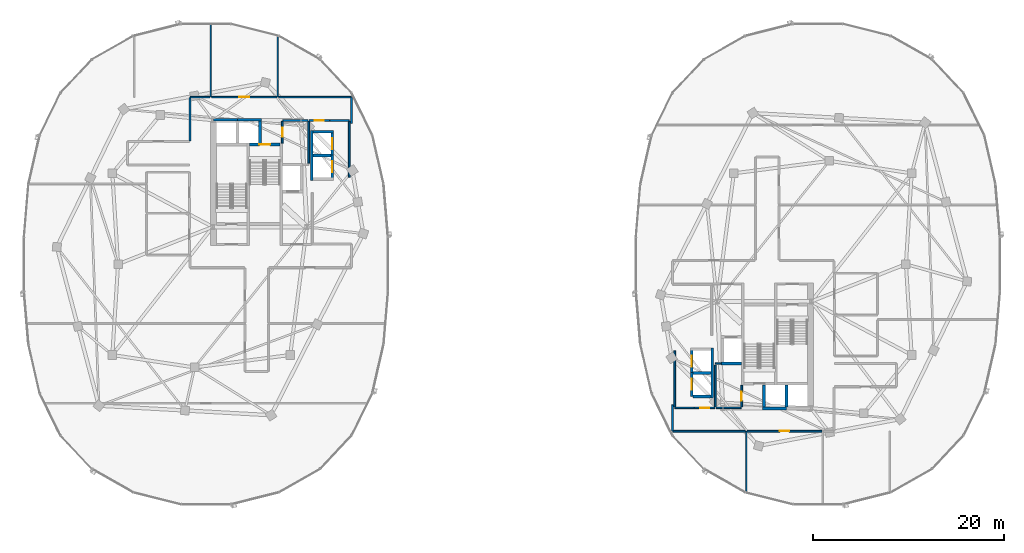
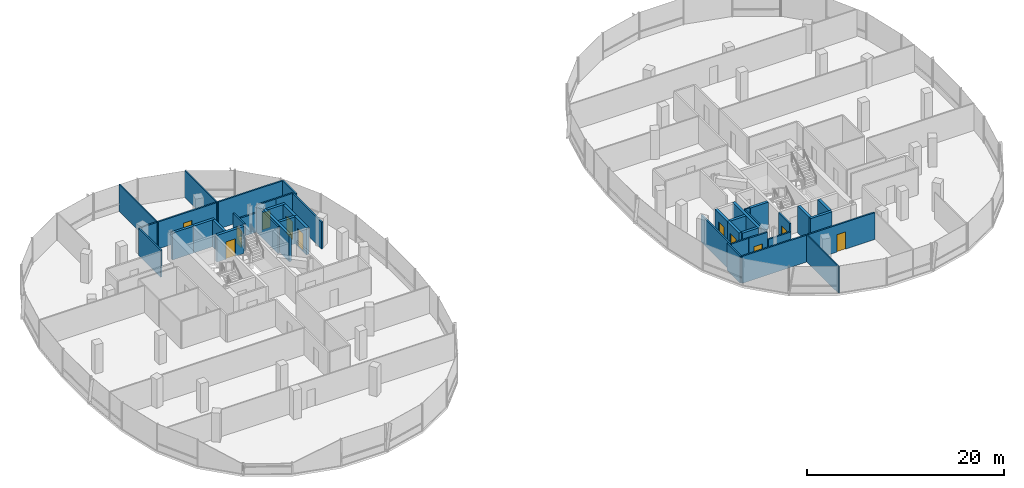
# One storey, part 16 of 25: 42 walls, 11 doors, 11 openings.
"""IFC4 building model written with IfcOpenShell, lengths in metres."""

from ifc_helpers import new_model, si_unit, direction, frame, frame_2d, origin, place, context, subcontext, project, spatial, rectangle, extrude, material, layer, layer_set, type_object, element, fill, save


model = new_model("IFC4")

# Units and contexts
model_context = context("Model", 3, precision=1e-05, world=origin(), true_north=direction((0.0, 1.0)))
body_context = subcontext(model_context, "Body", "Model", "MODEL_VIEW")
ifc_project = project(units=[si_unit("LENGTHUNIT", "METRE"), si_unit("AREAUNIT", "SQUARE_METRE"), si_unit("VOLUMEUNIT", "CUBIC_METRE"), si_unit("PLANEANGLEUNIT", "RADIAN"), si_unit("MASSUNIT", "GRAM", prefix="KILO"), si_unit("THERMODYNAMICTEMPERATUREUNIT", "KELVIN"), si_unit("POWERUNIT", "WATT")], contexts=[model_context])

# Site, building, storey
site_placement = place(None, origin())
site = spatial("IfcSite", under=ifc_project, at=site_placement, CompositionType="ELEMENT")
building_placement = place(site_placement, origin())
building = spatial("IfcBuilding", under=site, at=building_placement, Name="Cundina Bronze Exchange", CompositionType="ELEMENT")
storey_placement = place(building_placement, frame((0.0, 0.0, 220.60009765625)))
storey = spatial("IfcBuildingStorey", under=building, at=storey_placement, Name="L58", CompositionType="ELEMENT", Elevation=220.60009765625)

# Wall
ifc_material_1 = material(Name="Gypsum Fireboard Partition EI120")
ifc_layer_1 = layer(ifc_material_1, 0.179931640625, Name="Gypsum Fireboard Partition EI120")
ifc_layer_set_1 = layer_set([ifc_layer_1], Name="Gypsum Fireboard Partition EI120")
wall_type_1 = type_object("IfcWallType", Name="WL-COR-180", PredefinedType="PARTITIONING", material=ifc_layer_set_1)
wall_1_placement = place(storey_placement, frame((-17.02001953125, 9.070068359375, 0.0), z_axis=(0.0, 0.0, 1.0), x_axis=(0.0, 1.0, 0.0)))
element("IfcWall", 1, at=wall_1_placement, inside=storey, type_object=wall_type_1, Name="L58 Interior Partition 001", PredefinedType="PARTITIONING", context=body_context, shape_type="SweptSolid", body=[
    extrude(rectangle(XDim=5.85986328125, YDim=0.179931640625, at=frame_2d((2.929931640625, 0.0))), origin(), (0.0, 0.0, 1.0), 3.33984375),
])

# Wall, opening, door
wall_2_placement = place(storey_placement, frame((-21.22998046875, 15.030029296875, 0.0), z_axis=(0.0, 0.0, 1.0), x_axis=(1.0, 0.0, 0.0)))
wall_2 = element("IfcWall", 2, at=wall_2_placement, inside=storey, type_object=wall_type_1, Name="L58 Interior Partition 002", PredefinedType="PARTITIONING", context=body_context, shape_type="SweptSolid", body=[
    extrude(rectangle(XDim=2.159912109375, YDim=0.179931640625, at=frame_2d((1.080078125, 0.0))), origin(), (0.0, 0.0, 1.0), 3.33984375),
])
opening_1_placement = place(wall_2_placement, frame((0.60498046875, 0.0, 0.0)))
opening_1 = element("IfcOpeningElement", 3, at=opening_1_placement, cuts=wall_2, Name="Opening DW-01", PredefinedType="OPENING", context=body_context, shape_type="SweptSolid", body=[
    extrude(rectangle(XDim=0.949951171875, YDim=2.10009765625, at=frame_2d((0.47509765625, 1.050048828125))), frame((0.0, 0.099853515625, 0.0), z_axis=(0.0, -1.0, 0.0), x_axis=(1.0, 0.0, 0.0)), (0.0, 0.0, 1.0), 0.199951171875),
])
ifc_material_2 = material(Name="Solid Andean Oak Timber Grade A", Category="wood")
door_type_1 = type_object("IfcDoorType", Name="DR-WC-950", OperationType="NOTDEFINED", PredefinedType="DOOR", material=ifc_material_2)
door_1_placement = place(opening_1_placement, origin())
door_1 = element("IfcDoor", 4, at=door_1_placement, inside=storey, type_object=door_type_1, Name="L58 Interior Door 002", OperationType="SINGLE_SWING_LEFT", OverallHeight=2.10009765625, OverallWidth=0.949951171875, PredefinedType="DOOR", context=body_context, shape_type="SweptSolid", body=[
    extrude(rectangle(XDim=0.949951171875, YDim=2.10009765625, at=frame_2d((0.47509765625, 1.050048828125))), frame((0.0, 0.02490234375, 0.0), z_axis=(0.0, -1.0, 0.0), x_axis=(1.0, 0.0, 0.0)), (0.0, 0.0, 1.0), 0.050048828125),
])
fill(opening_1, door_1)

# Walls
wall_3_placement = place(storey_placement, frame((-19.030029296875, 15.030029296875, 0.0), z_axis=(0.0, 0.0, 1.0), x_axis=(1.0, 0.0, 0.0)))
element("IfcWall", 5, at=wall_3_placement, inside=storey, type_object=wall_type_1, Name="L58 Interior Partition 003", PredefinedType="PARTITIONING", context=body_context, shape_type="SweptSolid", body=[
    extrude(rectangle(XDim=1.989990234375, YDim=0.179931640625, at=frame_2d((0.9951171875, 0.0))), origin(), (0.0, 0.0, 1.0), 3.33984375),
])
wall_4_placement = place(storey_placement, frame((-21.25, 10.570068359375, 0.0), z_axis=(0.0, 0.0, 1.0), x_axis=(0.0, 1.0, 0.0)))
element("IfcWall", 6, at=wall_4_placement, inside=storey, type_object=wall_type_1, Name="L58 Interior Partition 005", PredefinedType="PARTITIONING", context=body_context, shape_type="SweptSolid", body=[
    extrude(rectangle(XDim=4.35986328125, YDim=0.179931640625, at=frame_2d((2.179931640625, 0.0))), origin(), (0.0, 0.0, 1.0), 3.33984375),
])
wall_5_placement = place(storey_placement, frame((-23.9599609375, 15.030029296875, 0.0), z_axis=(0.0, 0.0, 1.0), x_axis=(1.0, 0.0, 0.0)))
element("IfcWall", 7, at=wall_5_placement, inside=storey, type_object=wall_type_1, Name="L58 Interior Partition 006", PredefinedType="PARTITIONING", context=body_context, shape_type="SweptSolid", body=[
    extrude(rectangle(XDim=2.60986328125, YDim=0.179931640625, at=frame_2d((1.304931640625, 0.0))), origin(), (0.0, 0.0, 1.0), 2.412841796875),
])

# Wall, opening, door
wall_6_placement = place(storey_placement, frame((-24.02001953125, 12.669921875, 0.0), z_axis=(0.0, 0.0, 1.0), x_axis=(0.0, 1.0, 0.0)))
wall_6 = element("IfcWall", 8, at=wall_6_placement, inside=storey, type_object=wall_type_1, Name="L58 Interior Partition 007", PredefinedType="PARTITIONING", context=body_context, shape_type="SweptSolid", body=[
    extrude(rectangle(XDim=2.260009765625, YDim=0.179931640625, at=frame_2d((1.1298828125, 0.0))), origin(), (0.0, 0.0, 1.0), 3.33984375),
])
opening_2_placement = place(wall_6_placement, frame((0.655029296875, 0.0, 0.0)))
opening_2 = element("IfcOpeningElement", 9, at=opening_2_placement, cuts=wall_6, Name="Opening DW-01", PredefinedType="OPENING", context=body_context, shape_type="SweptSolid", body=[
    extrude(rectangle(XDim=0.949951171875, YDim=2.10009765625, at=frame_2d((0.47509765625, 1.050048828125))), frame((0.0, 0.099853515625, 0.0), z_axis=(0.0, -1.0, 0.0), x_axis=(1.0, 0.0, 0.0)), (0.0, 0.0, 1.0), 0.199951171875),
])
door_2_placement = place(opening_2_placement, origin())
door_2 = element("IfcDoor", 10, at=door_2_placement, inside=storey, type_object=door_type_1, Name="L58 Interior Door 007", OperationType="SINGLE_SWING_LEFT", OverallHeight=2.10009765625, OverallWidth=0.949951171875, PredefinedType="DOOR", context=body_context, shape_type="SweptSolid", body=[
    extrude(rectangle(XDim=0.949951171875, YDim=2.10009765625, at=frame_2d((0.47509765625, 1.050048828125))), frame((0.0, 0.02490234375, 0.0), z_axis=(0.0, -1.0, 0.0), x_axis=(1.0, 0.0, 0.0)), (0.0, 0.0, 1.0), 0.050048828125),
])
fill(opening_2, door_2)

# Walls
wall_7_placement = place(storey_placement, frame((-16.821533203125, 17.469970703125, 0.0), z_axis=(0.0, 0.0, 1.0), x_axis=(-1.0, 0.0, 0.0)))
element("IfcWall", 11, at=wall_7_placement, inside=storey, type_object=wall_type_1, Name="L58 Interior Partition 029", PredefinedType="PARTITIONING", context=body_context, shape_type="SweptSolid", body=[
    extrude(rectangle(XDim=7.58837890625, YDim=0.179931640625, at=frame_2d((3.794189453125, 0.0))), origin(), (0.0, 0.0, 1.0), 3.33984375),
])
wall_8_placement = place(storey_placement, frame((-16.780029296875, 14.721435546875, 0.0), z_axis=(0.0, 0.0, 1.0), x_axis=(0.0, 1.0, 0.0)))
element("IfcWall", 12, at=wall_8_placement, inside=storey, type_object=wall_type_1, Name="L58 Interior Partition 032", PredefinedType="PARTITIONING", context=body_context, shape_type="SweptSolid", body=[
    extrude(rectangle(XDim=2.70703125, YDim=0.179931640625, at=frame_2d((1.353515625, 0.0))), origin(), (0.0, 0.0, 1.0), 3.33984375),
])
wall_9_placement = place(storey_placement, frame((-33.669921875, 17.428466796875, 0.0), z_axis=(0.0, 0.0, 1.0), x_axis=(0.0, -1.0, 0.0)))
element("IfcWall", 13, at=wall_9_placement, inside=storey, type_object=wall_type_1, Name="L58 Interior Partition 036", PredefinedType="PARTITIONING", context=body_context, shape_type="SweptSolid", body=[
    extrude(rectangle(XDim=4.528564453125, YDim=0.179931640625, at=frame_2d((2.26416015625, 0.0))), origin(), (0.0, 0.0, 1.0), 3.33984375),
])
wall_10_placement = place(storey_placement, frame((-31.590087890625, 17.469970703125, 0.0), z_axis=(0.0, 0.0, 1.0), x_axis=(-1.0, 0.0, 0.0)))
element("IfcWall", 14, at=wall_10_placement, inside=storey, type_object=wall_type_1, Name="L58 Interior Partition 038", PredefinedType="PARTITIONING", context=body_context, shape_type="SweptSolid", body=[
    extrude(rectangle(XDim=2.038330078125, YDim=0.179931640625, at=frame_2d((1.01904296875, 0.0))), origin(), (0.0, 0.0, 1.0), 3.33984375),
])

# Wall, opening, door
wall_11_placement = place(storey_placement, frame((-24.590087890625, 17.469970703125, 0.0), z_axis=(0.0, 0.0, 1.0), x_axis=(-1.0, 0.0, 0.0)))
wall_11 = element("IfcWall", 15, at=wall_11_placement, inside=storey, type_object=wall_type_1, Name="L58 Interior Partition 039", PredefinedType="PARTITIONING", context=body_context, shape_type="SweptSolid", body=[
    extrude(rectangle(XDim=6.81982421875, YDim=0.179931640625, at=frame_2d((3.409912109375, 0.0))), origin(), (0.0, 0.0, 1.0), 3.33984375),
])
opening_3_placement = place(wall_11_placement, frame((2.909912109375, 0.0, 0.0)))
opening_3 = element("IfcOpeningElement", 16, at=opening_3_placement, cuts=wall_11, Name="Opening DO-01", PredefinedType="OPENING", context=body_context, shape_type="SweptSolid", body=[
    extrude(rectangle(XDim=1.0, YDim=2.14990234375, at=frame_2d((0.5, 1.074951171875))), frame((0.0, 0.099853515625, 0.0), z_axis=(0.0, -1.0, 0.0), x_axis=(1.0, 0.0, 0.0)), (0.0, 0.0, 1.0), 0.199951171875),
])
door_type_2 = type_object("IfcDoorType", Name="DR-OFF-1000", OperationType="NOTDEFINED", PredefinedType="DOOR", material=ifc_material_2)
door_3_placement = place(opening_3_placement, origin())
door_3 = element("IfcDoor", 17, at=door_3_placement, inside=storey, type_object=door_type_2, Name="L58 Interior Door 039", OperationType="SINGLE_SWING_RIGHT", OverallHeight=2.14990234375, OverallWidth=1.0, PredefinedType="DOOR", context=body_context, shape_type="SweptSolid", body=[
    extrude(rectangle(XDim=1.0, YDim=2.14990234375, at=frame_2d((0.5, 1.074951171875))), frame((0.0, 0.02490234375, 0.0), z_axis=(0.0, -1.0, 0.0), x_axis=(1.0, 0.0, 0.0)), (0.0, 0.0, 1.0), 0.050048828125),
])
fill(opening_3, door_3)

# Walls
wall_12_placement = place(storey_placement, frame((17.02001953125, -14.929931640625, 0.0), z_axis=(0.0, 0.0, 1.0), x_axis=(0.0, 1.0, 0.0)))
element("IfcWall", 18, at=wall_12_placement, inside=storey, type_object=wall_type_1, Name="L58 Interior Partition 041", PredefinedType="PARTITIONING", context=body_context, shape_type="SweptSolid", body=[
    extrude(rectangle(XDim=5.85986328125, YDim=0.179931640625, at=frame_2d((2.929931640625, 0.0))), origin(), (0.0, 0.0, 1.0), 3.33984375),
])
wall_13_placement = place(storey_placement, frame((17.0400390625, -15.030029296875, 0.0), z_axis=(0.0, 0.0, 1.0), x_axis=(1.0, 0.0, 0.0)))
element("IfcWall", 19, at=wall_13_placement, inside=storey, type_object=wall_type_1, Name="L58 Interior Partition 042", PredefinedType="PARTITIONING", context=body_context, shape_type="SweptSolid", body=[
    extrude(rectangle(XDim=1.989990234375, YDim=0.179931640625, at=frame_2d((0.9951171875, 0.0))), origin(), (0.0, 0.0, 1.0), 3.33984375),
])

# Wall, opening, door
wall_14_placement = place(storey_placement, frame((21.22998046875, -15.030029296875, 0.0), z_axis=(0.0, 0.0, 1.0), x_axis=(-1.0, 0.0, 0.0)))
wall_14 = element("IfcWall", 20, at=wall_14_placement, inside=storey, type_object=wall_type_1, Name="L58 Interior Partition 043", PredefinedType="PARTITIONING", context=body_context, shape_type="SweptSolid", body=[
    extrude(rectangle(XDim=2.159912109375, YDim=0.179931640625, at=frame_2d((1.080078125, 0.0))), origin(), (0.0, 0.0, 1.0), 3.33984375),
])
opening_4_placement = place(wall_14_placement, frame((0.60498046875, 0.0, 0.0)))
opening_4 = element("IfcOpeningElement", 21, at=opening_4_placement, cuts=wall_14, Name="Opening DW-01", PredefinedType="OPENING", context=body_context, shape_type="SweptSolid", body=[
    extrude(rectangle(XDim=0.949951171875, YDim=2.10009765625, at=frame_2d((0.47509765625, 1.050048828125))), frame((0.0, 0.099853515625, 0.0), z_axis=(0.0, -1.0, 0.0), x_axis=(1.0, 0.0, 0.0)), (0.0, 0.0, 1.0), 0.199951171875),
])
door_4_placement = place(opening_4_placement, origin())
door_4 = element("IfcDoor", 22, at=door_4_placement, inside=storey, type_object=door_type_1, Name="L58 Interior Door 043", OperationType="SINGLE_SWING_RIGHT", OverallHeight=2.10009765625, OverallWidth=0.949951171875, PredefinedType="DOOR", context=body_context, shape_type="SweptSolid", body=[
    extrude(rectangle(XDim=0.949951171875, YDim=2.10009765625, at=frame_2d((0.47509765625, 1.050048828125))), frame((0.0, 0.02490234375, 0.0), z_axis=(0.0, -1.0, 0.0), x_axis=(1.0, 0.0, 0.0)), (0.0, 0.0, 1.0), 0.050048828125),
])
fill(opening_4, door_4)

# Walls
wall_15_placement = place(storey_placement, frame((21.25, -14.929931640625, 0.0), z_axis=(0.0, 0.0, 1.0), x_axis=(0.0, 1.0, 0.0)))
element("IfcWall", 23, at=wall_15_placement, inside=storey, type_object=wall_type_1, Name="L58 Interior Partition 045", PredefinedType="PARTITIONING", context=body_context, shape_type="SweptSolid", body=[
    extrude(rectangle(XDim=4.35986328125, YDim=0.179931640625, at=frame_2d((2.179931640625, 0.0))), origin(), (0.0, 0.0, 1.0), 3.33984375),
])
wall_16_placement = place(storey_placement, frame((21.35009765625, -15.030029296875, 0.0), z_axis=(0.0, 0.0, 1.0), x_axis=(1.0, 0.0, 0.0)))
element("IfcWall", 24, at=wall_16_placement, inside=storey, type_object=wall_type_1, Name="L58 Interior Partition 046", PredefinedType="PARTITIONING", context=body_context, shape_type="SweptSolid", body=[
    extrude(rectangle(XDim=2.60986328125, YDim=0.179931640625, at=frame_2d((1.304931640625, 0.0))), origin(), (0.0, 0.0, 1.0), 2.412841796875),
])

# Wall, opening, door
wall_17_placement = place(storey_placement, frame((24.02001953125, -14.929931640625, 0.0), z_axis=(0.0, 0.0, 1.0), x_axis=(0.0, 1.0, 0.0)))
wall_17 = element("IfcWall", 25, at=wall_17_placement, inside=storey, type_object=wall_type_1, Name="L58 Interior Partition 047", PredefinedType="PARTITIONING", context=body_context, shape_type="SweptSolid", body=[
    extrude(rectangle(XDim=2.260009765625, YDim=0.179931640625, at=frame_2d((1.1298828125, 0.0))), origin(), (0.0, 0.0, 1.0), 3.33984375),
])
opening_5_placement = place(wall_17_placement, frame((0.655029296875, 0.0, 0.0)))
opening_5 = element("IfcOpeningElement", 26, at=opening_5_placement, cuts=wall_17, Name="Opening DW-01", PredefinedType="OPENING", context=body_context, shape_type="SweptSolid", body=[
    extrude(rectangle(XDim=0.949951171875, YDim=2.10009765625, at=frame_2d((0.47509765625, 1.050048828125))), frame((0.0, 0.099853515625, 0.0), z_axis=(0.0, -1.0, 0.0), x_axis=(1.0, 0.0, 0.0)), (0.0, 0.0, 1.0), 0.199951171875),
])
door_5_placement = place(opening_5_placement, origin())
door_5 = element("IfcDoor", 27, at=door_5_placement, inside=storey, type_object=door_type_1, Name="L58 Interior Door 047", OperationType="SINGLE_SWING_RIGHT", OverallHeight=2.10009765625, OverallWidth=0.949951171875, PredefinedType="DOOR", context=body_context, shape_type="SweptSolid", body=[
    extrude(rectangle(XDim=0.949951171875, YDim=2.10009765625, at=frame_2d((0.47509765625, 1.050048828125))), frame((0.0, 0.02490234375, 0.0), z_axis=(0.0, -1.0, 0.0), x_axis=(1.0, 0.0, 0.0)), (0.0, 0.0, 1.0), 0.050048828125),
])
fill(opening_5, door_5)

wall_18_placement = place(storey_placement, frame((24.590087890625, -17.469970703125, 0.0), z_axis=(0.0, 0.0, 1.0), x_axis=(1.0, 0.0, 0.0)))
wall_18 = element("IfcWall", 28, at=wall_18_placement, inside=storey, type_object=wall_type_1, Name="L58 Interior Partition 061", PredefinedType="PARTITIONING", context=body_context, shape_type="SweptSolid", body=[
    extrude(rectangle(XDim=7.81982421875, YDim=0.179931640625, at=frame_2d((3.909912109375, 0.0))), origin(), (0.0, 0.0, 1.0), 3.33984375),
])
opening_6_placement = place(wall_18_placement, frame((3.409912109375, 0.0, 0.0)))
opening_6 = element("IfcOpeningElement", 29, at=opening_6_placement, cuts=wall_18, Name="Opening DO-01", PredefinedType="OPENING", context=body_context, shape_type="SweptSolid", body=[
    extrude(rectangle(XDim=1.0, YDim=2.14990234375, at=frame_2d((0.5, 1.074951171875))), frame((0.0, 0.099853515625, 0.0), z_axis=(0.0, -1.0, 0.0), x_axis=(1.0, 0.0, 0.0)), (0.0, 0.0, 1.0), 0.199951171875),
])
door_6_placement = place(opening_6_placement, origin())
door_6 = element("IfcDoor", 30, at=door_6_placement, inside=storey, type_object=door_type_2, Name="L58 Interior Door 061", OperationType="SINGLE_SWING_LEFT", OverallHeight=2.14990234375, OverallWidth=1.0, PredefinedType="DOOR", context=body_context, shape_type="SweptSolid", body=[
    extrude(rectangle(XDim=1.0, YDim=2.14990234375, at=frame_2d((0.5, 1.074951171875))), frame((0.0, 0.02490234375, 0.0), z_axis=(0.0, -1.0, 0.0), x_axis=(1.0, 0.0, 0.0)), (0.0, 0.0, 1.0), 0.050048828125),
])
fill(opening_6, door_6)

# Walls
wall_19_placement = place(storey_placement, frame((16.821533203125, -17.469970703125, 0.0), z_axis=(0.0, 0.0, 1.0), x_axis=(1.0, 0.0, 0.0)))
element("IfcWall", 31, at=wall_19_placement, inside=storey, type_object=wall_type_1, Name="L58 Interior Partition 068", PredefinedType="PARTITIONING", context=body_context, shape_type="SweptSolid", body=[
    extrude(rectangle(XDim=7.58837890625, YDim=0.179931640625, at=frame_2d((3.794189453125, 0.0))), origin(), (0.0, 0.0, 1.0), 3.33984375),
])
wall_20_placement = place(storey_placement, frame((16.780029296875, -14.721435546875, 0.0), z_axis=(0.0, 0.0, 1.0), x_axis=(0.0, -1.0, 0.0)))
element("IfcWall", 32, at=wall_20_placement, inside=storey, type_object=wall_type_1, Name="L58 Interior Partition 071", PredefinedType="PARTITIONING", context=body_context, shape_type="SweptSolid", body=[
    extrude(rectangle(XDim=2.70703125, YDim=0.179931640625, at=frame_2d((1.353515625, 0.0))), origin(), (0.0, 0.0, 1.0), 3.33984375),
])
ifc_material_3 = material(Name="Gypsum Acoustic Partition EI60")
ifc_layer_2 = layer(ifc_material_3, 0.125, Name="Gypsum Acoustic Partition EI60")
ifc_layer_set_2 = layer_set([ifc_layer_2], Name="Gypsum Acoustic Partition EI60")
wall_type_2 = type_object("IfcWallType", Name="WL-OFF-125", PredefinedType="PARTITIONING", material=ifc_layer_set_2)
wall_21_placement = place(storey_placement, frame((-31.5, 17.5, 0.0), z_axis=(0.0, 0.0, 1.0), x_axis=(0.0, 1.0, 0.0)))
element("IfcWall", 33, at=wall_21_placement, inside=storey, type_object=wall_type_2, Name="L58 Interior Partition 020", PredefinedType="PARTITIONING", context=body_context, shape_type="SweptSolid", body=[
    extrude(rectangle(XDim=7.68994140625, YDim=0.125, at=frame_2d((3.844970703125, 0.0))), origin(), (0.0, 0.0, 1.0), 3.33984375),
])
for number, where, z_axis, x_axis, name in (
    (34, (-24.5, 17.5, 0.0), (0.0, 0.0, 1.0), (0.0, 1.0, 0.0), "L58 Interior Partition 021"),
    (35, (24.5, -23.962646484375, 0.0), (0.0, 0.0, 1.0), (0.0, 1.0, 0.0), "L58 Interior Partition 058"),
):
    element("IfcWall", number, at=place(storey_placement, frame(where, z_axis=z_axis, x_axis=x_axis)), inside=storey, type_object=wall_type_2, Name=name, PredefinedType="PARTITIONING", context=body_context, shape_type="SweptSolid", body=[
        extrude(rectangle(XDim=6.462646484375, YDim=0.125, at=frame_2d((3.2314453125, 0.0))), origin(), (0.0, 0.0, 1.0), 3.33984375),
    ])

# Wall, opening, door
ifc_material_4 = material(Name="Concrete C50/60", Category="concrete")
ifc_layer_3 = layer(ifc_material_4, 0.300048828125, Name="Concrete C50/60", Category="concrete")
ifc_layer_set_3 = layer_set([ifc_layer_3], Name="Concrete C50/60")
wall_type_3 = type_object("IfcWallType", Name="WL-SHFT-300", PredefinedType="SHEAR", material=ifc_layer_set_3)
wall_22_placement = place(storey_placement, frame((-27.43994140625, 12.5, 0.0), z_axis=(0.0, 0.0, 1.0), x_axis=(1.0, 0.0, 0.0)))
wall_22 = element("IfcWall", 36, at=wall_22_placement, inside=storey, type_object=wall_type_3, Name="L58 Stair W2 Landing Wall", PredefinedType="SHEAR", context=body_context, shape_type="SweptSolid", body=[
    extrude(rectangle(XDim=3.159912109375, YDim=0.300048828125, at=frame_2d((1.580078125, 0.0))), origin(), (0.0, 0.0, 1.0), 3.33984375),
])
opening_7_placement = place(wall_22_placement, frame((1.030029296875, 0.0, 0.0)))
opening_7 = element("IfcOpeningElement", 37, at=opening_7_placement, cuts=wall_22, Name="Opening DS-01", PredefinedType="OPENING", context=body_context, shape_type="SweptSolid", body=[
    extrude(rectangle(XDim=1.10009765625, YDim=2.14990234375, at=frame_2d((0.550048828125, 1.074951171875))), frame((0.0, 0.159912109375, 0.0), z_axis=(0.0, -1.0, 0.0), x_axis=(1.0, 0.0, 0.0)), (0.0, 0.0, 1.0), 0.320068359375),
])
ifc_material_5 = material(Name="Steel ASTM A36 Painted", Category="steel")
door_type_3 = type_object("IfcDoorType", Name="DR-STR-1100", OperationType="NOTDEFINED", PredefinedType="DOOR", material=ifc_material_5)
door_7_placement = place(opening_7_placement, origin())
door_7 = element("IfcDoor", 38, at=door_7_placement, inside=storey, type_object=door_type_3, Name="L58 Smokeproof Stair W2 Door", OperationType="SINGLE_SWING_LEFT", OverallHeight=2.14990234375, OverallWidth=1.10009765625, PredefinedType="DOOR", context=body_context, shape_type="SweptSolid", body=[
    extrude(rectangle(XDim=1.10009765625, YDim=2.14990234375, at=frame_2d((0.550048828125, 1.074951171875))), frame((0.0, 0.02490234375, 0.0), z_axis=(0.0, -1.0, 0.0), x_axis=(1.0, 0.0, 0.0)), (0.0, 0.0, 1.0), 0.050048828125),
])
fill(opening_7, door_7)

# Walls
for number, where, z_axis, x_axis, name in (
    (39, (-31.199951171875, 15.10009765625, 0.0), (0.0, 0.0, 1.0), (1.0, 0.0, 0.0), "L58 PH-W1 Hoistway Front Wall"),
    (40, (-28.699951171875, 15.10009765625, 0.0), (0.0, 0.0, 1.0), (1.0, 0.0, 0.0), "L58 PH-W2 Hoistway Front Wall"),
):
    element("IfcWall", number, at=place(storey_placement, frame(where, z_axis=z_axis, x_axis=x_axis)), inside=storey, type_object=wall_type_3, Name=name, PredefinedType="SHEAR", context=body_context, shape_type="SweptSolid", body=[
        extrude(rectangle(XDim=2.5, YDim=0.300048828125, at=frame_2d((1.25, 0.0))), origin(), (0.0, 0.0, 1.0), 3.33984375),
    ])
wall_23_placement = place(storey_placement, frame((-26.35009765625, 12.64990234375, 0.0), z_axis=(0.0, 0.0, 1.0), x_axis=(0.0, 1.0, 0.0)))
element("IfcWall", 41, at=wall_23_placement, inside=storey, type_object=wall_type_3, Name="L58 PH-W2 Hoistway Divider Wall", PredefinedType="SHEAR", context=body_context, shape_type="SweptSolid", body=[
    extrude(rectangle(XDim=2.300048828125, YDim=0.300048828125, at=frame_2d((1.14990234375, 0.0))), origin(), (0.0, 0.0, 1.0), 3.33984375),
])
wall_24_placement = place(storey_placement, frame((-20.949951171875, 8.75, 0.0), z_axis=(0.0, 0.0, 1.0), x_axis=(0.0, 1.0, 0.0)))
element("IfcWall", 42, at=wall_24_placement, inside=storey, type_object=wall_type_3, Name="L58 W Passenger Bank Hoistway Back Wall", PredefinedType="SHEAR", context=body_context, shape_type="SweptSolid", body=[
    extrude(rectangle(XDim=5.25, YDim=0.300048828125, at=frame_2d((2.625, 0.0))), origin(), (0.0, 0.0, 1.0), 3.33984375),
])
wall_25_placement = place(storey_placement, frame((-20.800048828125, 13.85009765625, 0.0), z_axis=(0.0, 0.0, 1.0), x_axis=(1.0, 0.0, 0.0)))
element("IfcWall", 43, at=wall_25_placement, inside=storey, type_object=wall_type_3, Name="L58 W Passenger Bank North Cap Wall", PredefinedType="SHEAR", context=body_context, shape_type="SweptSolid", body=[
    extrude(rectangle(XDim=2.150146484375, YDim=0.300048828125, at=frame_2d((1.0751953125, 0.0))), origin(), (0.0, 0.0, 1.0), 3.33984375),
])
wall_26_placement = place(storey_placement, frame((-20.800048828125, 11.375, 0.0), z_axis=(0.0, 0.0, 1.0), x_axis=(1.0, 0.0, 0.0)))
element("IfcWall", 44, at=wall_26_placement, inside=storey, type_object=wall_type_3, Name="L58 W Passenger Hoistway Divider 1", PredefinedType="SHEAR", context=body_context, shape_type="SweptSolid", body=[
    extrude(rectangle(XDim=1.85009765625, YDim=0.300048828125, at=frame_2d((0.925048828125, 0.0))), origin(), (0.0, 0.0, 1.0), 3.33984375),
])

# Wall, opening, door
wall_27_placement = place(storey_placement, frame((-18.800048828125, 8.929931640625, 0.0), z_axis=(0.0, 0.0, 1.0), x_axis=(0.0, 1.0, 0.0)))
wall_27 = element("IfcWall", 45, at=wall_27_placement, inside=storey, type_object=wall_type_3, Name="L58 PM-W2 Hoistway Front Wall", PredefinedType="SHEAR", context=body_context, shape_type="SweptSolid", body=[
    extrude(rectangle(XDim=2.489990234375, YDim=0.300048828125, at=frame_2d((1.2451171875, 0.0))), origin(), (0.0, 0.0, 1.0), 3.33984375),
])
opening_8_placement = place(wall_27_placement, frame((0.669921875, 0.0, 0.0)))
opening_8 = element("IfcOpeningElement", 46, at=opening_8_placement, cuts=wall_27, Name="Opening LD-01", PredefinedType="OPENING", context=body_context, shape_type="SweptSolid", body=[
    extrude(rectangle(XDim=1.14990234375, YDim=2.199951171875, at=frame_2d((0.574951171875, 1.10009765625))), frame((0.0, 0.159912109375, 0.0), z_axis=(0.0, -1.0, 0.0), x_axis=(1.0, 0.0, 0.0)), (0.0, 0.0, 1.0), 0.320068359375),
])
door_type_4 = type_object("IfcDoorType", Name="DR-LND-1150", OperationType="NOTDEFINED", PredefinedType="TRAPDOOR", material=ifc_material_5)
door_8_placement = place(opening_8_placement, origin())
door_8 = element("IfcDoor", 47, at=door_8_placement, inside=storey, type_object=door_type_4, Name="L58 PM-W2 Sliding Landing Door", OperationType="SLIDING_TO_LEFT", OverallHeight=2.199951171875, OverallWidth=1.14990234375, PredefinedType="TRAPDOOR", context=body_context, shape_type="SweptSolid", body=[
    extrude(rectangle(XDim=1.14990234375, YDim=2.199951171875, at=frame_2d((0.574951171875, 1.10009765625))), frame((0.0, 0.02490234375, 0.0), z_axis=(0.0, -1.0, 0.0), x_axis=(1.0, 0.0, 0.0)), (0.0, 0.0, 1.0), 0.050048828125),
])
fill(opening_8, door_8)

wall_28_placement = place(storey_placement, frame((-18.800048828125, 11.330078125, 0.0), z_axis=(0.0, 0.0, 1.0), x_axis=(0.0, 1.0, 0.0)))
wall_28 = element("IfcWall", 48, at=wall_28_placement, inside=storey, type_object=wall_type_3, Name="L58 PM-W1 Hoistway Front Wall", PredefinedType="SHEAR", context=body_context, shape_type="SweptSolid", body=[
    extrude(rectangle(XDim=2.489990234375, YDim=0.300048828125, at=frame_2d((1.2451171875, 0.0))), origin(), (0.0, 0.0, 1.0), 3.33984375),
])
opening_9_placement = place(wall_28_placement, frame((0.669921875, 0.0, 0.0)))
opening_9 = element("IfcOpeningElement", 49, at=opening_9_placement, cuts=wall_28, Name="Opening LD-01", PredefinedType="OPENING", context=body_context, shape_type="SweptSolid", body=[
    extrude(rectangle(XDim=1.14990234375, YDim=2.199951171875, at=frame_2d((0.574951171875, 1.10009765625))), frame((0.0, 0.159912109375, 0.0), z_axis=(0.0, -1.0, 0.0), x_axis=(1.0, 0.0, 0.0)), (0.0, 0.0, 1.0), 0.320068359375),
])
door_9_placement = place(opening_9_placement, origin())
door_9 = element("IfcDoor", 50, at=door_9_placement, inside=storey, type_object=door_type_4, Name="L58 PM-W1 Sliding Landing Door", OperationType="SLIDING_TO_LEFT", OverallHeight=2.199951171875, OverallWidth=1.14990234375, PredefinedType="TRAPDOOR", context=body_context, shape_type="SweptSolid", body=[
    extrude(rectangle(XDim=1.14990234375, YDim=2.199951171875, at=frame_2d((0.574951171875, 1.10009765625))), frame((0.0, 0.02490234375, 0.0), z_axis=(0.0, -1.0, 0.0), x_axis=(1.0, 0.0, 0.0)), (0.0, 0.0, 1.0), 0.050048828125),
])
fill(opening_9, door_9)

# Walls
wall_29_placement = place(storey_placement, frame((21.8798828125, -10.39990234375, 0.0), z_axis=(0.0, 0.0, 1.0), x_axis=(1.0, 0.0, 0.0)))
element("IfcWall", 51, at=wall_29_placement, inside=storey, type_object=wall_type_3, Name="L58 FFL-E Hoistway Back Wall", PredefinedType="SHEAR", context=body_context, shape_type="SweptSolid", body=[
    extrude(rectangle(XDim=2.10009765625, YDim=0.300048828125, at=frame_2d((1.050048828125, 0.0))), origin(), (0.0, 0.0, 1.0), 3.33984375),
])
wall_30_placement = place(storey_placement, frame((28.699951171875, -14.949951171875, 0.0), z_axis=(0.0, 0.0, 1.0), x_axis=(0.0, 1.0, 0.0)))
element("IfcWall", 52, at=wall_30_placement, inside=storey, type_object=wall_type_3, Name="L58 PH-E1 Hoistway Divider Wall", PredefinedType="SHEAR", context=body_context, shape_type="SweptSolid", body=[
    extrude(rectangle(XDim=2.300048828125, YDim=0.300048828125, at=frame_2d((1.14990234375, 0.0))), origin(), (0.0, 0.0, 1.0), 3.33984375),
])
wall_31_placement = place(storey_placement, frame((26.199951171875, -15.10009765625, 0.0), z_axis=(0.0, 0.0, 1.0), x_axis=(1.0, 0.0, 0.0)))
element("IfcWall", 53, at=wall_31_placement, inside=storey, type_object=wall_type_3, Name="L58 PH-E2 Hoistway Front Wall", PredefinedType="SHEAR", context=body_context, shape_type="SweptSolid", body=[
    extrude(rectangle(XDim=2.5, YDim=0.300048828125, at=frame_2d((1.25, 0.0))), origin(), (0.0, 0.0, 1.0), 3.33984375),
])
wall_32_placement = place(storey_placement, frame((26.35009765625, -14.949951171875, 0.0), z_axis=(0.0, 0.0, 1.0), x_axis=(0.0, 1.0, 0.0)))
element("IfcWall", 54, at=wall_32_placement, inside=storey, type_object=wall_type_3, Name="L58 PH-E2 Hoistway Divider Wall", PredefinedType="SHEAR", context=body_context, shape_type="SweptSolid", body=[
    extrude(rectangle(XDim=2.300048828125, YDim=0.300048828125, at=frame_2d((1.14990234375, 0.0))), origin(), (0.0, 0.0, 1.0), 3.33984375),
])
wall_33_placement = place(storey_placement, frame((20.949951171875, -14.0, 0.0), z_axis=(0.0, 0.0, 1.0), x_axis=(0.0, 1.0, 0.0)))
element("IfcWall", 55, at=wall_33_placement, inside=storey, type_object=wall_type_3, Name="L58 E Passenger Bank Hoistway Back Wall", PredefinedType="SHEAR", context=body_context, shape_type="SweptSolid", body=[
    extrude(rectangle(XDim=5.25, YDim=0.300048828125, at=frame_2d((2.625, 0.0))), origin(), (0.0, 0.0, 1.0), 3.33984375),
])
for number, where, z_axis, x_axis, name in (
    (56, (18.949951171875, -13.85009765625, 0.0), (0.0, 0.0, 1.0), (1.0, 0.0, 0.0), "L58 E Passenger Bank South Cap Wall"),
    (57, (18.949951171875, -11.375, 0.0), (0.0, 0.0, 1.0), (1.0, 0.0, 0.0), "L58 E Passenger Hoistway Divider 1"),
):
    element("IfcWall", number, at=place(storey_placement, frame(where, z_axis=z_axis, x_axis=x_axis)), inside=storey, type_object=wall_type_3, Name=name, PredefinedType="SHEAR", context=body_context, shape_type="SweptSolid", body=[
        extrude(rectangle(XDim=1.85009765625, YDim=0.300048828125, at=frame_2d((0.925048828125, 0.0))), origin(), (0.0, 0.0, 1.0), 3.33984375),
    ])

# Wall, opening, door
wall_34_placement = place(storey_placement, frame((18.800048828125, -13.820068359375, 0.0), z_axis=(0.0, 0.0, 1.0), x_axis=(0.0, 1.0, 0.0)))
wall_34 = element("IfcWall", 58, at=wall_34_placement, inside=storey, type_object=wall_type_3, Name="L58 PM-E1 Hoistway Front Wall", PredefinedType="SHEAR", context=body_context, shape_type="SweptSolid", body=[
    extrude(rectangle(XDim=2.489990234375, YDim=0.300048828125, at=frame_2d((1.2451171875, 0.0))), origin(), (0.0, 0.0, 1.0), 3.33984375),
])
opening_10_placement = place(wall_34_placement, frame((0.669921875, 0.0, 0.0)))
opening_10 = element("IfcOpeningElement", 59, at=opening_10_placement, cuts=wall_34, Name="Opening LD-01", PredefinedType="OPENING", context=body_context, shape_type="SweptSolid", body=[
    extrude(rectangle(XDim=1.14990234375, YDim=2.199951171875, at=frame_2d((0.574951171875, 1.10009765625))), frame((0.0, 0.159912109375, 0.0), z_axis=(0.0, -1.0, 0.0), x_axis=(1.0, 0.0, 0.0)), (0.0, 0.0, 1.0), 0.320068359375),
])
door_10_placement = place(opening_10_placement, origin())
door_10 = element("IfcDoor", 60, at=door_10_placement, inside=storey, type_object=door_type_4, Name="L58 PM-E1 Sliding Landing Door", OperationType="SLIDING_TO_LEFT", OverallHeight=2.199951171875, OverallWidth=1.14990234375, PredefinedType="TRAPDOOR", context=body_context, shape_type="SweptSolid", body=[
    extrude(rectangle(XDim=1.14990234375, YDim=2.199951171875, at=frame_2d((0.574951171875, 1.10009765625))), frame((0.0, 0.02490234375, 0.0), z_axis=(0.0, -1.0, 0.0), x_axis=(1.0, 0.0, 0.0)), (0.0, 0.0, 1.0), 0.050048828125),
])
fill(opening_10, door_10)

wall_35_placement = place(storey_placement, frame((18.800048828125, -11.419921875, 0.0), z_axis=(0.0, 0.0, 1.0), x_axis=(0.0, 1.0, 0.0)))
wall_35 = element("IfcWall", 61, at=wall_35_placement, inside=storey, type_object=wall_type_3, Name="L58 PM-E2 Hoistway Front Wall", PredefinedType="SHEAR", context=body_context, shape_type="SweptSolid", body=[
    extrude(rectangle(XDim=2.489990234375, YDim=0.300048828125, at=frame_2d((1.2451171875, 0.0))), origin(), (0.0, 0.0, 1.0), 3.33984375),
])
opening_11_placement = place(wall_35_placement, frame((0.669921875, 0.0, 0.0)))
opening_11 = element("IfcOpeningElement", 62, at=opening_11_placement, cuts=wall_35, Name="Opening LD-01", PredefinedType="OPENING", context=body_context, shape_type="SweptSolid", body=[
    extrude(rectangle(XDim=1.14990234375, YDim=2.199951171875, at=frame_2d((0.574951171875, 1.10009765625))), frame((0.0, 0.159912109375, 0.0), z_axis=(0.0, -1.0, 0.0), x_axis=(1.0, 0.0, 0.0)), (0.0, 0.0, 1.0), 0.320068359375),
])
door_11_placement = place(opening_11_placement, origin())
door_11 = element("IfcDoor", 63, at=door_11_placement, inside=storey, type_object=door_type_4, Name="L58 PM-E2 Sliding Landing Door", OperationType="SLIDING_TO_LEFT", OverallHeight=2.199951171875, OverallWidth=1.14990234375, PredefinedType="TRAPDOOR", context=body_context, shape_type="SweptSolid", body=[
    extrude(rectangle(XDim=1.14990234375, YDim=2.199951171875, at=frame_2d((0.574951171875, 1.10009765625))), frame((0.0, 0.02490234375, 0.0), z_axis=(0.0, -1.0, 0.0), x_axis=(1.0, 0.0, 0.0)), (0.0, 0.0, 1.0), 0.050048828125),
])
fill(opening_11, door_11)

# Wall
ifc_material_6 = material(Name="Moisture-Resistant Masonry Block Grade M15", Category="masonry")
ifc_layer_4 = layer(ifc_material_6, 0.139892578125, Name="Moisture-Resistant Masonry Block Grade M15", Category="masonry")
ifc_layer_set_4 = layer_set([ifc_layer_4], Name="Moisture-Resistant Masonry Block Grade M15")
wall_type_4 = type_object("IfcWallType", Name="WL-WET-140", PredefinedType="PARTITIONING", material=ifc_layer_set_4)
wall_36_placement = place(storey_placement, frame((21.27001953125, -10.39990234375, 0.0), z_axis=(0.0, 0.0, 1.0), x_axis=(1.0, 0.0, 0.0)))
element("IfcWall", 64, at=wall_36_placement, inside=storey, type_object=wall_type_4, Name="L58 Interior Partition 044", PredefinedType="PARTITIONING", context=body_context, shape_type="SweptSolid", body=[
    extrude(rectangle(XDim=0.590087890625, YDim=0.139892578125, at=frame_2d((0.294921875, 0.0))), origin(), (0.0, 0.0, 1.0), 3.33984375),
])

save(model, "model.ifc")
